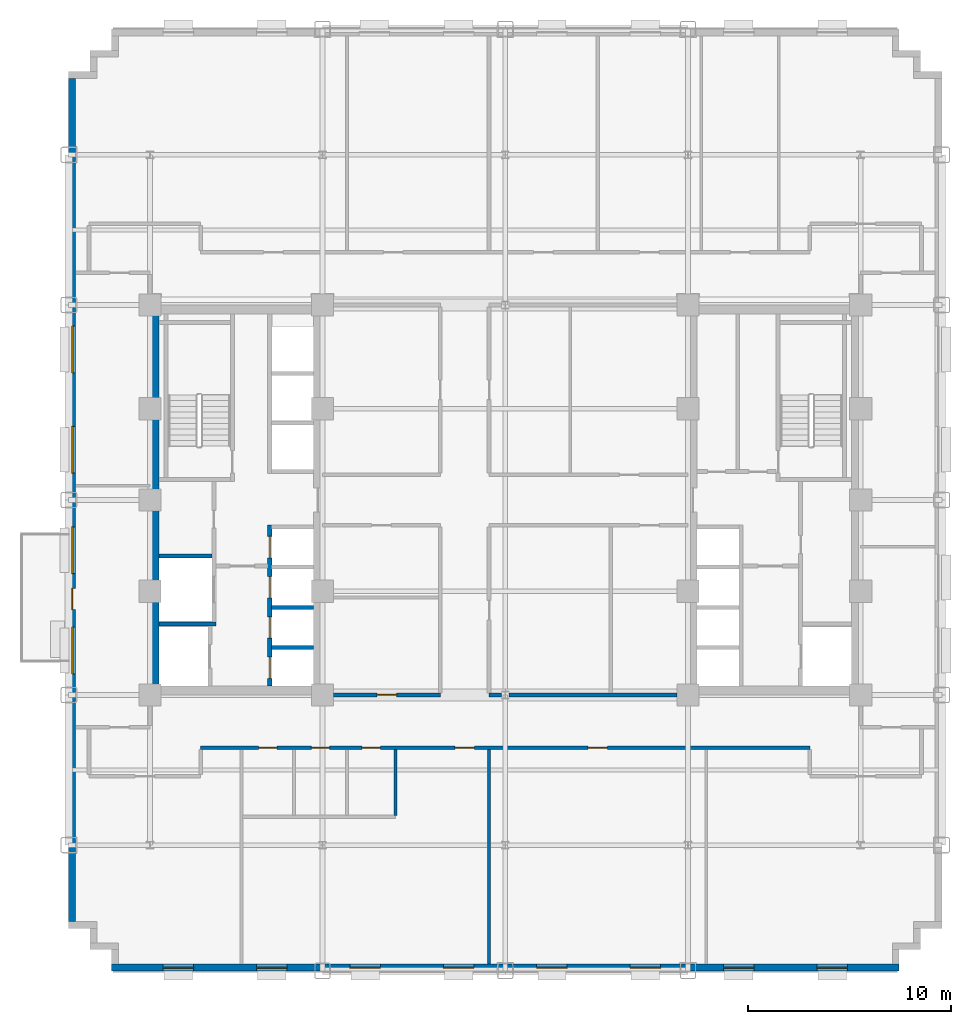
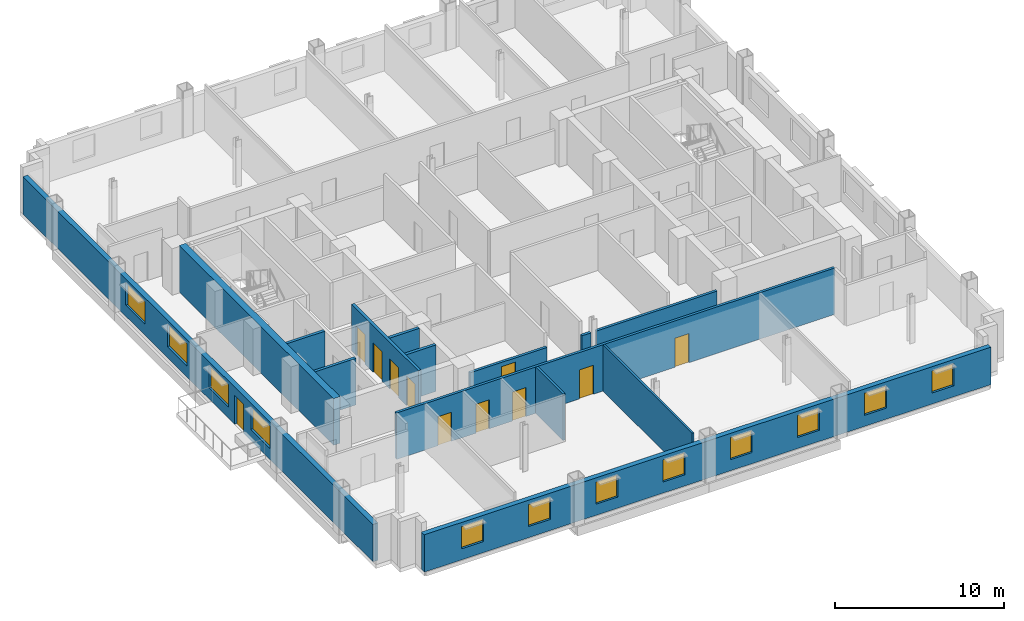
# One storey, part 6 of 13: 14 walls, 12 windows, 11 doors, 23 openings.
"""IFC4 building model written with IfcOpenShell, lengths in metres."""

from ifc_helpers import new_model, si_unit, direction, frame, frame_2d, origin, place, context, subcontext, project, spatial, rectangle, extrude, source, transform, mapped, material, layer, layer_set, type_object, type_shapes, element, fill, save


model = new_model("IFC4")

# Units and contexts
model_context = context("Model", 3, precision=1e-05, world=origin(), true_north=direction((0.0, 1.0)))
body_context = subcontext(model_context, "Body", "Model", "MODEL_VIEW")
ifc_project = project(units=[si_unit("LENGTHUNIT", "METRE"), si_unit("AREAUNIT", "SQUARE_METRE"), si_unit("VOLUMEUNIT", "CUBIC_METRE"), si_unit("PLANEANGLEUNIT", "RADIAN"), si_unit("MASSUNIT", "GRAM", prefix="KILO")], contexts=[model_context])

# Site, building, storey
site_placement = place(None, origin())
site = spatial("IfcSite", under=ifc_project, at=site_placement, CompositionType="ELEMENT")
building_placement = place(site_placement, origin())
building = spatial("IfcBuilding", under=site, at=building_placement, Name="Nuvemarco Arch Tower", CompositionType="ELEMENT")
storey_placement = place(building_placement, frame((0.0, 0.0, 78.699951171875)))
storey = spatial("IfcBuildingStorey", under=building, at=storey_placement, Name="L20", CompositionType="ELEMENT", Elevation=78.699951171875)

# Wall, openings, windows
ifc_material_1 = material(Name="Precast concrete C45/55", Category="concrete")
ifc_layer_1 = layer(ifc_material_1, 0.340087890625, Name="EW-LOW-340")
ifc_layer_set_1 = layer_set([ifc_layer_1], Name="Precast concrete C45/55")
wall_type_1 = type_object("IfcWallType", Name="EW-LOW-340", PredefinedType="STANDARD", material=ifc_layer_set_1)
wall_1_placement = place(storey_placement, frame((-19.39990234375, -23.030029296875, 0.0), z_axis=(0.0, 0.0, 1.0), x_axis=(1.0, 0.0, 0.0)))
wall_1 = element("IfcWall", 1, at=wall_1_placement, inside=storey, type_object=wall_type_1, Name="L20 exterior precast facade wall 1", PredefinedType="STANDARD", context=body_context, shape_type="SweptSolid", body=[
    extrude(rectangle(XDim=38.7998046875, YDim=0.340087890625, at=frame_2d((19.39990234375, 0.0))), origin(), (0.0, 0.0, 1.0), 2.705078125),
])
opening_1_placement = place(wall_1_placement, frame((2.550048828125, 0.0, 0.800048828125)))
opening_1 = element("IfcOpeningElement", 2, at=opening_1_placement, cuts=wall_1, Name="Opening WN-11", PredefinedType="OPENING", context=body_context, shape_type="SweptSolid", body=[
    extrude(rectangle(XDim=1.5, YDim=1.60009765625, at=frame_2d((0.75, 0.800048828125))), frame((0.0, 0.179931640625, 0.0), z_axis=(0.0, -1.0, 0.0), x_axis=(1.0, 0.0, 0.0)), (0.0, 0.0, 1.0), 0.360107421875),
])
opening_2_placement = place(wall_1_placement, frame((7.14990234375, 0.0, 0.800048828125)))
opening_2 = element("IfcOpeningElement", 3, at=opening_2_placement, cuts=wall_1, Name="Opening WN-11", PredefinedType="OPENING", context=body_context, shape_type="SweptSolid", body=[
    extrude(rectangle(XDim=1.5, YDim=1.60009765625, at=frame_2d((0.75, 0.800048828125))), frame((0.0, 0.179931640625, 0.0), z_axis=(0.0, -1.0, 0.0), x_axis=(1.0, 0.0, 0.0)), (0.0, 0.0, 1.0), 0.360107421875),
])
opening_3_placement = place(wall_1_placement, frame((11.75, 0.0, 0.800048828125)))
opening_3 = element("IfcOpeningElement", 4, at=opening_3_placement, cuts=wall_1, Name="Opening WN-11", PredefinedType="OPENING", context=body_context, shape_type="SweptSolid", body=[
    extrude(rectangle(XDim=1.5, YDim=1.60009765625, at=frame_2d((0.75, 0.800048828125))), frame((0.0, 0.179931640625, 0.0), z_axis=(0.0, -1.0, 0.0), x_axis=(1.0, 0.0, 0.0)), (0.0, 0.0, 1.0), 0.360107421875),
])
opening_4_placement = place(wall_1_placement, frame((16.35009765625, 0.0, 0.800048828125)))
opening_4 = element("IfcOpeningElement", 5, at=opening_4_placement, cuts=wall_1, Name="Opening WN-11", PredefinedType="OPENING", context=body_context, shape_type="SweptSolid", body=[
    extrude(rectangle(XDim=1.5, YDim=1.60009765625, at=frame_2d((0.75, 0.800048828125))), frame((0.0, 0.179931640625, 0.0), z_axis=(0.0, -1.0, 0.0), x_axis=(1.0, 0.0, 0.0)), (0.0, 0.0, 1.0), 0.360107421875),
])
opening_5_placement = place(wall_1_placement, frame((20.949951171875, 0.0, 0.800048828125)))
opening_5 = element("IfcOpeningElement", 6, at=opening_5_placement, cuts=wall_1, Name="Opening WN-11", PredefinedType="OPENING", context=body_context, shape_type="SweptSolid", body=[
    extrude(rectangle(XDim=1.5, YDim=1.60009765625, at=frame_2d((0.75, 0.800048828125))), frame((0.0, 0.179931640625, 0.0), z_axis=(0.0, -1.0, 0.0), x_axis=(1.0, 0.0, 0.0)), (0.0, 0.0, 1.0), 0.360107421875),
])
opening_6_placement = place(wall_1_placement, frame((25.550048828125, 0.0, 0.800048828125)))
opening_6 = element("IfcOpeningElement", 7, at=opening_6_placement, cuts=wall_1, Name="Opening WN-11", PredefinedType="OPENING", context=body_context, shape_type="SweptSolid", body=[
    extrude(rectangle(XDim=1.5, YDim=1.60009765625, at=frame_2d((0.75, 0.800048828125))), frame((0.0, 0.179931640625, 0.0), z_axis=(0.0, -1.0, 0.0), x_axis=(1.0, 0.0, 0.0)), (0.0, 0.0, 1.0), 0.360107421875),
])
opening_7_placement = place(wall_1_placement, frame((30.14990234375, 0.0, 0.800048828125)))
opening_7 = element("IfcOpeningElement", 8, at=opening_7_placement, cuts=wall_1, Name="Opening WN-11", PredefinedType="OPENING", context=body_context, shape_type="SweptSolid", body=[
    extrude(rectangle(XDim=1.5, YDim=1.60009765625, at=frame_2d((0.75, 0.800048828125))), frame((0.0, 0.179931640625, 0.0), z_axis=(0.0, -1.0, 0.0), x_axis=(1.0, 0.0, 0.0)), (0.0, 0.0, 1.0), 0.360107421875),
])
opening_8_placement = place(wall_1_placement, frame((34.75, 0.0, 0.800048828125)))
opening_8 = element("IfcOpeningElement", 9, at=opening_8_placement, cuts=wall_1, Name="Opening WN-11", PredefinedType="OPENING", context=body_context, shape_type="SweptSolid", body=[
    extrude(rectangle(XDim=1.5, YDim=1.60009765625, at=frame_2d((0.75, 0.800048828125))), frame((0.0, 0.179931640625, 0.0), z_axis=(0.0, -1.0, 0.0), x_axis=(1.0, 0.0, 0.0)), (0.0, 0.0, 1.0), 0.360107421875),
])
ifc_material_2 = material(Name="Insulated solar-control glass", Category="glass")
window_type_1 = type_object("IfcWindowType", Name="WN-STEP-1500x1850", PartitioningType="SINGLE_PANEL", PredefinedType="WINDOW", material=ifc_material_2)
shared_shape_1 = source(origin(), body_context, "Body", "SweptSolid", [
    extrude(rectangle(XDim=1.5, YDim=1.60009765625, at=frame_2d((0.75, 0.800048828125))), frame((0.0, 0.030029296875, 0.0), z_axis=(0.0, -1.0, 0.0), x_axis=(1.0, 0.0, 0.0)), (0.0, 0.0, 1.0), 0.06005859375),
])
type_shapes(window_type_1, [shared_shape_1])
window_1_placement = place(opening_1_placement, origin())
window_1 = element("IfcWindow", 10, at=window_1_placement, inside=storey, type_object=window_type_1, Name="L20 punched facade window 1", OverallHeight=1.60009765625, OverallWidth=1.5, PartitioningType="SINGLE_PANEL", PredefinedType="WINDOW", context=body_context, shape_type="MappedRepresentation", body=[
    mapped(shared_shape_1, transform((0.0, 0.0, 0.0), scale=1.0)),
])
fill(opening_1, window_1)
window_2_placement = place(opening_2_placement, origin())
window_2 = element("IfcWindow", 11, at=window_2_placement, inside=storey, type_object=window_type_1, Name="L20 punched facade window 2", OverallHeight=1.60009765625, OverallWidth=1.5, PartitioningType="SINGLE_PANEL", PredefinedType="WINDOW", context=body_context, shape_type="MappedRepresentation", body=[
    mapped(shared_shape_1, transform((0.0, 0.0, 0.0), scale=1.0)),
])
fill(opening_2, window_2)
window_3_placement = place(opening_3_placement, origin())
window_3 = element("IfcWindow", 12, at=window_3_placement, inside=storey, type_object=window_type_1, Name="L20 punched facade window 3", OverallHeight=1.60009765625, OverallWidth=1.5, PartitioningType="SINGLE_PANEL", PredefinedType="WINDOW", context=body_context, shape_type="MappedRepresentation", body=[
    mapped(shared_shape_1, transform((0.0, 0.0, 0.0), scale=1.0)),
])
fill(opening_3, window_3)
window_4_placement = place(opening_4_placement, origin())
window_4 = element("IfcWindow", 13, at=window_4_placement, inside=storey, type_object=window_type_1, Name="L20 punched facade window 4", OverallHeight=1.60009765625, OverallWidth=1.5, PartitioningType="SINGLE_PANEL", PredefinedType="WINDOW", context=body_context, shape_type="MappedRepresentation", body=[
    mapped(shared_shape_1, transform((0.0, 0.0, 0.0), scale=1.0)),
])
fill(opening_4, window_4)
window_5_placement = place(opening_5_placement, origin())
window_5 = element("IfcWindow", 14, at=window_5_placement, inside=storey, type_object=window_type_1, Name="L20 punched facade window 5", OverallHeight=1.60009765625, OverallWidth=1.5, PartitioningType="SINGLE_PANEL", PredefinedType="WINDOW", context=body_context, shape_type="MappedRepresentation", body=[
    mapped(shared_shape_1, transform((0.0, 0.0, 0.0), scale=1.0)),
])
fill(opening_5, window_5)
window_6_placement = place(opening_6_placement, origin())
window_6 = element("IfcWindow", 15, at=window_6_placement, inside=storey, type_object=window_type_1, Name="L20 punched facade window 6", OverallHeight=1.60009765625, OverallWidth=1.5, PartitioningType="SINGLE_PANEL", PredefinedType="WINDOW", context=body_context, shape_type="MappedRepresentation", body=[
    mapped(shared_shape_1, transform((0.0, 0.0, 0.0), scale=1.0)),
])
fill(opening_6, window_6)
window_7_placement = place(opening_7_placement, origin())
window_7 = element("IfcWindow", 16, at=window_7_placement, inside=storey, type_object=window_type_1, Name="L20 punched facade window 7", OverallHeight=1.60009765625, OverallWidth=1.5, PartitioningType="SINGLE_PANEL", PredefinedType="WINDOW", context=body_context, shape_type="MappedRepresentation", body=[
    mapped(shared_shape_1, transform((0.0, 0.0, 0.0), scale=1.0)),
])
fill(opening_7, window_7)
window_8_placement = place(opening_8_placement, origin())
window_8 = element("IfcWindow", 17, at=window_8_placement, inside=storey, type_object=window_type_1, Name="L20 punched facade window 8", OverallHeight=1.60009765625, OverallWidth=1.5, PartitioningType="SINGLE_PANEL", PredefinedType="WINDOW", context=body_context, shape_type="MappedRepresentation", body=[
    mapped(shared_shape_1, transform((0.0, 0.0, 0.0), scale=1.0)),
])
fill(opening_8, window_8)

# Wall, openings, door, windows
wall_2_placement = place(storey_placement, frame((-21.330078125, -20.763916015625, 0.0), z_axis=(0.0, 0.0, 1.0), x_axis=(0.0, 1.0, 0.0)))
wall_2 = element("IfcWall", 18, at=wall_2_placement, inside=storey, type_object=wall_type_1, Name="L20 exterior precast facade wall 16", PredefinedType="STANDARD", context=body_context, shape_type="SweptSolid", body=[
    extrude(rectangle(XDim=41.52783203125, YDim=0.340087890625, at=frame_2d((20.763916015625, 0.0))), origin(), (0.0, 0.0, 1.0), 2.705078125),
])
opening_9_placement = place(wall_2_placement, frame((15.364013671875, 0.0, 0.0)))
opening_9 = element("IfcOpeningElement", 19, at=opening_9_placement, cuts=wall_2, Name="Opening ED-5", PredefinedType="OPENING", context=body_context, shape_type="SweptSolid", body=[
    extrude(rectangle(XDim=1.050048828125, YDim=2.10009765625, at=frame_2d((0.52490234375, 1.050048828125))), frame((0.0, 0.179931640625, 0.0), z_axis=(0.0, -1.0, 0.0), x_axis=(1.0, 0.0, 0.0)), (0.0, 0.0, 1.0), 0.360107421875),
])
opening_10_placement = place(wall_2_placement, frame((12.202392578125, 0.0, 0.800048828125)))
opening_10 = element("IfcOpeningElement", 20, at=opening_10_placement, cuts=wall_2, Name="Opening WN-10", PredefinedType="OPENING", context=body_context, shape_type="SweptSolid", body=[
    extrude(rectangle(XDim=2.300048828125, YDim=1.6201171875, at=frame_2d((1.14990234375, 0.81005859375))), frame((0.0, 0.179931640625, 0.0), z_axis=(0.0, -1.0, 0.0), x_axis=(1.0, 0.0, 0.0)), (0.0, 0.0, 1.0), 0.360107421875),
])
opening_11_placement = place(wall_2_placement, frame((17.1435546875, 0.0, 0.800048828125)))
opening_11 = element("IfcOpeningElement", 21, at=opening_11_placement, cuts=wall_2, Name="Opening WN-10", PredefinedType="OPENING", context=body_context, shape_type="SweptSolid", body=[
    extrude(rectangle(XDim=2.300048828125, YDim=1.6201171875, at=frame_2d((1.14990234375, 0.81005859375))), frame((0.0, 0.179931640625, 0.0), z_axis=(0.0, -1.0, 0.0), x_axis=(1.0, 0.0, 0.0)), (0.0, 0.0, 1.0), 0.360107421875),
])
opening_12_placement = place(wall_2_placement, frame((22.08447265625, 0.0, 0.800048828125)))
opening_12 = element("IfcOpeningElement", 22, at=opening_12_placement, cuts=wall_2, Name="Opening WN-10", PredefinedType="OPENING", context=body_context, shape_type="SweptSolid", body=[
    extrude(rectangle(XDim=2.300048828125, YDim=1.6201171875, at=frame_2d((1.14990234375, 0.81005859375))), frame((0.0, 0.179931640625, 0.0), z_axis=(0.0, -1.0, 0.0), x_axis=(1.0, 0.0, 0.0)), (0.0, 0.0, 1.0), 0.360107421875),
])
opening_13_placement = place(wall_2_placement, frame((27.025390625, 0.0, 0.800048828125)))
opening_13 = element("IfcOpeningElement", 23, at=opening_13_placement, cuts=wall_2, Name="Opening WN-10", PredefinedType="OPENING", context=body_context, shape_type="SweptSolid", body=[
    extrude(rectangle(XDim=2.300048828125, YDim=1.6201171875, at=frame_2d((1.14990234375, 0.81005859375))), frame((0.0, 0.179931640625, 0.0), z_axis=(0.0, -1.0, 0.0), x_axis=(1.0, 0.0, 0.0)), (0.0, 0.0, 1.0), 0.360107421875),
])
ifc_material_3 = material(Name="Anodised bronze and laminated glass", Category="glass")
door_type_1 = type_object("IfcDoorType", Name="DR-EXT-TERR", OperationType="NOTDEFINED", PredefinedType="DOOR", material=ifc_material_3)
shared_shape_2 = source(origin(), body_context, "Body", "SweptSolid", [
    extrude(rectangle(XDim=1.050048828125, YDim=2.10009765625, at=frame_2d((0.52490234375, 1.050048828125))), frame((0.0, 0.02490234375, 0.0), z_axis=(0.0, -1.0, 0.0), x_axis=(1.0, 0.0, 0.0)), (0.0, 0.0, 1.0), 0.050048828125),
])
type_shapes(door_type_1, [shared_shape_2])
door_1_placement = place(opening_9_placement, origin())
door_1 = element("IfcDoor", 24, at=door_1_placement, inside=storey, type_object=door_type_1, Name="L20 spiral terrace access door", OperationType="SINGLE_SWING_LEFT", OverallHeight=2.10009765625, OverallWidth=1.050048828125, PredefinedType="DOOR", context=body_context, shape_type="MappedRepresentation", body=[
    mapped(shared_shape_2, transform((0.0, 0.0, 0.0), scale=1.0)),
])
fill(opening_9, door_1)
window_type_2 = type_object("IfcWindowType", Name="WN-STEP-2300x1700", PartitioningType="DOUBLE_PANEL_VERTICAL", PredefinedType="WINDOW", material=ifc_material_2)
shared_shape_3 = source(origin(), body_context, "Body", "SweptSolid", [
    extrude(rectangle(XDim=2.300048828125, YDim=1.6201171875, at=frame_2d((1.14990234375, 0.81005859375))), frame((0.0, 0.030029296875, 0.0), z_axis=(0.0, -1.0, 0.0), x_axis=(1.0, 0.0, 0.0)), (0.0, 0.0, 1.0), 0.06005859375),
])
type_shapes(window_type_2, [shared_shape_3])
window_9_placement = place(opening_10_placement, origin())
window_9 = element("IfcWindow", 25, at=window_9_placement, inside=storey, type_object=window_type_2, Name="L20 punched facade window 3", OverallHeight=1.6201171875, OverallWidth=2.300048828125, PartitioningType="SINGLE_PANEL", PredefinedType="WINDOW", context=body_context, shape_type="MappedRepresentation", body=[
    mapped(shared_shape_3, transform((0.0, 0.0, 0.0), scale=1.0)),
])
fill(opening_10, window_9)
window_10_placement = place(opening_11_placement, origin())
window_10 = element("IfcWindow", 26, at=window_10_placement, inside=storey, type_object=window_type_2, Name="L20 punched facade window 4", OverallHeight=1.6201171875, OverallWidth=2.300048828125, PartitioningType="SINGLE_PANEL", PredefinedType="WINDOW", context=body_context, shape_type="MappedRepresentation", body=[
    mapped(shared_shape_3, transform((0.0, 0.0, 0.0), scale=1.0)),
])
fill(opening_11, window_10)
window_11_placement = place(opening_12_placement, origin())
window_11 = element("IfcWindow", 27, at=window_11_placement, inside=storey, type_object=window_type_2, Name="L20 punched facade window 5", OverallHeight=1.6201171875, OverallWidth=2.300048828125, PartitioningType="SINGLE_PANEL", PredefinedType="WINDOW", context=body_context, shape_type="MappedRepresentation", body=[
    mapped(shared_shape_3, transform((0.0, 0.0, 0.0), scale=1.0)),
])
fill(opening_12, window_11)
window_12_placement = place(opening_13_placement, origin())
window_12 = element("IfcWindow", 28, at=window_12_placement, inside=storey, type_object=window_type_2, Name="L20 punched facade window 6", OverallHeight=1.6201171875, OverallWidth=2.300048828125, PartitioningType="SINGLE_PANEL", PredefinedType="WINDOW", context=body_context, shape_type="MappedRepresentation", body=[
    mapped(shared_shape_3, transform((0.0, 0.0, 0.0), scale=1.0)),
])
fill(opening_13, window_12)

# Wall
ifc_material_4 = material(Name="Concrete C60/75", Category="concrete")
ifc_layer_2 = layer(ifc_material_4, 0.449951171875, Name="WL-CORE-450")
ifc_layer_set_2 = layer_set([ifc_layer_2], Name="Concrete C60/75")
wall_type_2 = type_object("IfcWallType", Name="WL-CORE-450", PredefinedType="SHEAR", material=ifc_layer_set_2)
wall_3_placement = place(storey_placement, frame((-17.27490234375, -9.155029296875, 0.0), z_axis=(0.0, 0.0, 1.0), x_axis=(0.0, 1.0, 0.0)))
element("IfcWall", 29, at=wall_3_placement, inside=storey, type_object=wall_type_2, Name="L20 W-core shear wall W", PredefinedType="SHEAR", context=body_context, shape_type="SweptSolid", body=[
    extrude(rectangle(XDim=18.31005859375, YDim=0.449951171875, at=frame_2d((9.155029296875, 0.0))), origin(), (0.0, 0.0, 1.0), 3.3701171875),
])

# Wall, openings, doors
ifc_material_5 = material(Name="Fire-rated gypsum drywall partition")
ifc_layer_3 = layer(ifc_material_5, 0.179931640625, Name="WL-CORR-180")
ifc_layer_set_3 = layer_set([ifc_layer_3], Name="Fire-rated gypsum drywall partition")
wall_type_3 = type_object("IfcWallType", Name="WL-CORR-180", PredefinedType="PARTITIONING", material=ifc_layer_set_3)
wall_4_placement = place(storey_placement, frame((-15.0, -12.199951171875, 0.0), z_axis=(0.0, 0.0, 1.0), x_axis=(1.0, 0.0, 0.0)))
wall_4 = element("IfcWall", 30, at=wall_4_placement, inside=storey, type_object=wall_type_3, Name="L20 interior wall IW-L20-004", PredefinedType="PARTITIONING", context=body_context, shape_type="SweptSolid", body=[
    extrude(rectangle(XDim=30.0, YDim=0.179931640625, at=frame_2d((15.0, 0.0))), origin(), (0.0, 0.0, 1.0), 3.360107421875),
])
opening_14_placement = place(wall_4_placement, frame((19.070068359375, 0.0, 0.0)))
opening_14 = element("IfcOpeningElement", 31, at=opening_14_placement, cuts=wall_4, Name="Opening FD-5", PredefinedType="OPENING", context=body_context, shape_type="SweptSolid", body=[
    extrude(rectangle(XDim=0.9599609375, YDim=2.10009765625, at=frame_2d((0.47998046875, 1.050048828125))), frame((0.0, 0.099853515625, 0.0), z_axis=(0.0, -1.0, 0.0), x_axis=(1.0, 0.0, 0.0)), (0.0, 0.0, 1.0), 0.199951171875),
])
opening_15_placement = place(wall_4_placement, frame((5.449951171875, 0.0, 0.0)))
opening_15 = element("IfcOpeningElement", 32, at=opening_15_placement, cuts=wall_4, Name="Opening ID-3", PredefinedType="OPENING", context=body_context, shape_type="SweptSolid", body=[
    extrude(rectangle(XDim=0.89990234375, YDim=2.10009765625, at=frame_2d((0.449951171875, 1.050048828125))), frame((0.0, 0.099853515625, 0.0), z_axis=(0.0, -1.0, 0.0), x_axis=(1.0, 0.0, 0.0)), (0.0, 0.0, 1.0), 0.199951171875),
])
opening_16_placement = place(wall_4_placement, frame((2.85009765625, 0.0, 0.0)))
opening_16 = element("IfcOpeningElement", 33, at=opening_16_placement, cuts=wall_4, Name="Opening ID-3", PredefinedType="OPENING", context=body_context, shape_type="SweptSolid", body=[
    extrude(rectangle(XDim=0.89990234375, YDim=2.10009765625, at=frame_2d((0.449951171875, 1.050048828125))), frame((0.0, 0.099853515625, 0.0), z_axis=(0.0, -1.0, 0.0), x_axis=(1.0, 0.0, 0.0)), (0.0, 0.0, 1.0), 0.199951171875),
])
opening_17_placement = place(wall_4_placement, frame((12.52001953125, 0.0, 0.0)))
opening_17 = element("IfcOpeningElement", 34, at=opening_17_placement, cuts=wall_4, Name="Opening FD-5", PredefinedType="OPENING", context=body_context, shape_type="SweptSolid", body=[
    extrude(rectangle(XDim=0.9599609375, YDim=2.10009765625, at=frame_2d((0.47998046875, 1.050048828125))), frame((0.0, 0.099853515625, 0.0), z_axis=(0.0, -1.0, 0.0), x_axis=(1.0, 0.0, 0.0)), (0.0, 0.0, 1.0), 0.199951171875),
])
opening_18_placement = place(wall_4_placement, frame((7.949951171875, 0.0, 0.0)))
opening_18 = element("IfcOpeningElement", 35, at=opening_18_placement, cuts=wall_4, Name="Opening ID-3", PredefinedType="OPENING", context=body_context, shape_type="SweptSolid", body=[
    extrude(rectangle(XDim=0.89990234375, YDim=2.10009765625, at=frame_2d((0.449951171875, 1.050048828125))), frame((0.0, 0.099853515625, 0.0), z_axis=(0.0, -1.0, 0.0), x_axis=(1.0, 0.0, 0.0)), (0.0, 0.0, 1.0), 0.199951171875),
])
ifc_material_6 = material(Name="Timber fire door", Category="wood")
door_type_2 = type_object("IfcDoorType", Name="DR-CORR-FD", OperationType="NOTDEFINED", PredefinedType="DOOR", material=ifc_material_6)
shared_shape_4 = source(origin(), body_context, "Body", "SweptSolid", [
    extrude(rectangle(XDim=0.9599609375, YDim=2.10009765625, at=frame_2d((0.47998046875, 1.050048828125))), frame((0.0, 0.02490234375, 0.0), z_axis=(0.0, -1.0, 0.0), x_axis=(1.0, 0.0, 0.0)), (0.0, 0.0, 1.0), 0.050048828125),
])
type_shapes(door_type_2, [shared_shape_4])
door_2_placement = place(opening_14_placement, origin())
door_2 = element("IfcDoor", 36, at=door_2_placement, inside=storey, type_object=door_type_2, Name="L20 door DR-L20-S_3", OperationType="SINGLE_SWING_LEFT", OverallHeight=2.10009765625, OverallWidth=0.9599609375, PredefinedType="DOOR", context=body_context, shape_type="MappedRepresentation", body=[
    mapped(shared_shape_4, transform((0.0, 0.0, 0.0), scale=1.0)),
])
fill(opening_14, door_2)
door_3_placement = place(opening_17_placement, origin())
door_3 = element("IfcDoor", 37, at=door_3_placement, inside=storey, type_object=door_type_2, Name="L20 door DR-L20-S_2", OperationType="SINGLE_SWING_LEFT", OverallHeight=2.10009765625, OverallWidth=0.9599609375, PredefinedType="DOOR", context=body_context, shape_type="MappedRepresentation", body=[
    mapped(shared_shape_4, transform((0.0, 0.0, 0.0), scale=1.0)),
])
fill(opening_17, door_3)
ifc_material_7 = material(Name="Veneered oak timber fire door", Category="wood")
door_type_3 = type_object("IfcDoorType", Name="DR-WC-ACC", OperationType="NOTDEFINED", PredefinedType="DOOR", material=ifc_material_7)
shared_shape_5 = source(origin(), body_context, "Body", "SweptSolid", [
    extrude(rectangle(XDim=0.89990234375, YDim=2.10009765625, at=frame_2d((0.449951171875, 1.050048828125))), frame((0.0, 0.02490234375, 0.0), z_axis=(0.0, -1.0, 0.0), x_axis=(1.0, 0.0, 0.0)), (0.0, 0.0, 1.0), 0.050048828125),
])
type_shapes(door_type_3, [shared_shape_5])
door_4_placement = place(opening_15_placement, origin())
door_4 = element("IfcDoor", 38, at=door_4_placement, inside=storey, type_object=door_type_3, Name="L20 door DR-L20-WC_F", OperationType="SINGLE_SWING_LEFT", OverallHeight=2.10009765625, OverallWidth=0.89990234375, PredefinedType="DOOR", context=body_context, shape_type="MappedRepresentation", body=[
    mapped(shared_shape_5, transform((0.0, 0.0, 0.0), scale=1.0)),
])
fill(opening_15, door_4)
door_5_placement = place(opening_16_placement, origin())
door_5 = element("IfcDoor", 39, at=door_5_placement, inside=storey, type_object=door_type_3, Name="L20 door DR-L20-WC_M", OperationType="SINGLE_SWING_RIGHT", OverallHeight=2.10009765625, OverallWidth=0.89990234375, PredefinedType="DOOR", context=body_context, shape_type="MappedRepresentation", body=[
    mapped(shared_shape_5, transform((0.0, 0.0, 0.0), scale=1.0)),
])
fill(opening_16, door_5)
door_6_placement = place(opening_18_placement, origin())
door_6 = element("IfcDoor", 40, at=door_6_placement, inside=storey, type_object=door_type_3, Name="L20 door DR-L20-WC_ACC", OperationType="SINGLE_SWING_RIGHT", OverallHeight=2.10009765625, OverallWidth=0.89990234375, PredefinedType="DOOR", context=body_context, shape_type="MappedRepresentation", body=[
    mapped(shared_shape_5, transform((0.0, 0.0, 0.0), scale=1.0)),
])
fill(opening_18, door_6)

# Wall, opening, door
wall_5_placement = place(storey_placement, frame((-8.4541015625, -9.60009765625, 0.0), z_axis=(0.0, 0.0, 1.0), x_axis=(1.0, 0.0, 0.0)))
wall_5 = element("IfcWall", 41, at=wall_5_placement, inside=storey, type_object=wall_type_3, Name="L20 interior wall IW-L20-007", PredefinedType="PARTITIONING", context=body_context, shape_type="SweptSolid", body=[
    extrude(rectangle(XDim=5.254150390625, YDim=0.179931640625, at=frame_2d((2.626953125, 0.0))), origin(), (0.0, 0.0, 1.0), 2.405029296875),
])
opening_19_placement = place(wall_5_placement, frame((2.14697265625, 0.0, 0.0)))
opening_19 = element("IfcOpeningElement", 42, at=opening_19_placement, cuts=wall_5, Name="Opening FD-5", PredefinedType="OPENING", context=body_context, shape_type="SweptSolid", body=[
    extrude(rectangle(XDim=0.9599609375, YDim=2.10009765625, at=frame_2d((0.47998046875, 1.050048828125))), frame((0.0, 0.099853515625, 0.0), z_axis=(0.0, -1.0, 0.0), x_axis=(1.0, 0.0, 0.0)), (0.0, 0.0, 1.0), 0.199951171875),
])
door_7_placement = place(opening_19_placement, origin())
door_7 = element("IfcDoor", 43, at=door_7_placement, inside=storey, type_object=door_type_2, Name="L20 door DR-L20-C_SW2", OperationType="SINGLE_SWING_RIGHT", OverallHeight=2.10009765625, OverallWidth=0.9599609375, PredefinedType="DOOR", context=body_context, shape_type="MappedRepresentation", body=[
    mapped(shared_shape_4, transform((0.0, 0.0, 0.0), scale=1.0)),
])
fill(opening_19, door_7)

# Walls
wall_6_placement = place(storey_placement, frame((-0.800048828125, -9.60009765625, 0.0), z_axis=(0.0, 0.0, 1.0), x_axis=(1.0, 0.0, 0.0)))
element("IfcWall", 44, at=wall_6_placement, inside=storey, type_object=wall_type_3, Name="L20 interior wall IW-L20-008", PredefinedType="PARTITIONING", context=body_context, shape_type="SweptSolid", body=[
    extrude(rectangle(XDim=0.6240234375, YDim=0.179931640625, at=frame_2d((0.31201171875, 0.0))), origin(), (0.0, 0.0, 1.0), 2.405029296875),
])
wall_7_placement = place(storey_placement, frame((0.176025390625, -9.60009765625, 0.0), z_axis=(0.0, 0.0, 1.0), x_axis=(1.0, 0.0, 0.0)))
element("IfcWall", 45, at=wall_7_placement, inside=storey, type_object=wall_type_3, Name="L20 interior wall IW-L20-009", PredefinedType="PARTITIONING", context=body_context, shape_type="SweptSolid", body=[
    extrude(rectangle(XDim=8.278076171875, YDim=0.179931640625, at=frame_2d((4.13916015625, 0.0))), origin(), (0.0, 0.0, 1.0), 2.405029296875),
])
ifc_material_8 = material(Name="Gypsum plasterboard partition")
ifc_layer_4 = layer(ifc_material_8, 0.139892578125, Name="WL-ROOM-140")
ifc_layer_set_4 = layer_set([ifc_layer_4], Name="Gypsum plasterboard partition")
wall_type_4 = type_object("IfcWallType", Name="WL-ROOM-140", PredefinedType="PARTITIONING", material=ifc_layer_set_4)
wall_8_placement = place(storey_placement, frame((-0.800048828125, -22.860107421875, 0.0), z_axis=(0.0, 0.0, 1.0), x_axis=(0.0, 1.0, 0.0)))
element("IfcWall", 46, at=wall_8_placement, inside=storey, type_object=wall_type_4, Name="L20 interior wall IW-L20-038", PredefinedType="PARTITIONING", context=body_context, shape_type="SweptSolid", body=[
    extrude(rectangle(XDim=10.57421875, YDim=0.139892578125, at=frame_2d((5.287109375, 0.0))), origin(), (0.0, 0.0, 1.0), 3.360107421875),
])
ifc_material_9 = material(Name="Concrete C50/60", Category="concrete")
ifc_layer_5 = layer(ifc_material_9, 0.199951171875, Name="WL-SHAFT-220")
ifc_layer_set_5 = layer_set([ifc_layer_5], Name="Concrete C50/60")
wall_type_5 = type_object("IfcWallType", Name="WL-SHAFT-220", PredefinedType="SHEAR", material=ifc_layer_set_5)
wall_9_placement = place(storey_placement, frame((-17.054931640625, -6.10009765625, 0.0), z_axis=(0.0, 0.0, 1.0), x_axis=(1.0, 0.0, 0.0)))
element("IfcWall", 47, at=wall_9_placement, inside=storey, type_object=wall_type_5, Name="L20 structural shaft wall SW-L20-W-SH1", PredefinedType="SHEAR", context=body_context, shape_type="SweptSolid", body=[
    extrude(rectangle(XDim=2.804931640625, YDim=0.199951171875, at=frame_2d((1.40234375, 0.0))), origin(), (0.0, 0.0, 1.0), 3.3701171875),
])
wall_10_placement = place(storey_placement, frame((-17.054931640625, -2.75, 0.0), z_axis=(0.0, 0.0, 1.0), x_axis=(1.0, 0.0, 0.0)))
element("IfcWall", 48, at=wall_10_placement, inside=storey, type_object=wall_type_5, Name="L20 structural shaft wall SW-L20-W-SH2", PredefinedType="SHEAR", context=body_context, shape_type="SweptSolid", body=[
    extrude(rectangle(XDim=2.60986328125, YDim=0.199951171875, at=frame_2d((1.304931640625, 0.0))), origin(), (0.0, 0.0, 1.0), 3.3701171875),
])

# Wall, openings, doors
wall_11_placement = place(storey_placement, frame((-11.60009765625, -9.155029296875, 0.0), z_axis=(0.0, 0.0, 1.0), x_axis=(0.0, 1.0, 0.0)))
wall_11 = element("IfcWall", 49, at=wall_11_placement, inside=storey, type_object=wall_type_5, Name="L20 structural shaft wall SW-L20-W-PLW", PredefinedType="SHEAR", context=body_context, shape_type="SweptSolid", body=[
    extrude(rectangle(XDim=7.925048828125, YDim=0.199951171875, at=frame_2d((3.96240234375, 0.0))), origin(), (0.0, 0.0, 1.0), 3.3701171875),
])
opening_20_placement = place(wall_11_placement, frame((0.3701171875, 0.0, 0.0)))
opening_20 = element("IfcOpeningElement", 50, at=opening_20_placement, cuts=wall_11, Name="Opening LD-1", PredefinedType="OPENING", context=body_context, shape_type="SweptSolid", body=[
    extrude(rectangle(XDim=1.050048828125, YDim=2.14990234375, at=frame_2d((0.52490234375, 1.074951171875))), frame((0.0, 0.10986328125, 0.0), z_axis=(0.0, -1.0, 0.0), x_axis=(1.0, 0.0, 0.0)), (0.0, 0.0, 1.0), 0.219970703125),
])
opening_21_placement = place(wall_11_placement, frame((2.35009765625, 0.0, 0.0)))
opening_21 = element("IfcOpeningElement", 51, at=opening_21_placement, cuts=wall_11, Name="Opening LD-1", PredefinedType="OPENING", context=body_context, shape_type="SweptSolid", body=[
    extrude(rectangle(XDim=1.050048828125, YDim=2.14990234375, at=frame_2d((0.52490234375, 1.074951171875))), frame((0.0, 0.10986328125, 0.0), z_axis=(0.0, -1.0, 0.0), x_axis=(1.0, 0.0, 0.0)), (0.0, 0.0, 1.0), 0.219970703125),
])
opening_22_placement = place(wall_11_placement, frame((4.330078125, 0.0, 0.0)))
opening_22 = element("IfcOpeningElement", 52, at=opening_22_placement, cuts=wall_11, Name="Opening LD-1", PredefinedType="OPENING", context=body_context, shape_type="SweptSolid", body=[
    extrude(rectangle(XDim=1.050048828125, YDim=2.14990234375, at=frame_2d((0.52490234375, 1.074951171875))), frame((0.0, 0.10986328125, 0.0), z_axis=(0.0, -1.0, 0.0), x_axis=(1.0, 0.0, 0.0)), (0.0, 0.0, 1.0), 0.219970703125),
])
opening_23_placement = place(wall_11_placement, frame((6.31005859375, 0.0, 0.0)))
opening_23 = element("IfcOpeningElement", 53, at=opening_23_placement, cuts=wall_11, Name="Opening LD-1", PredefinedType="OPENING", context=body_context, shape_type="SweptSolid", body=[
    extrude(rectangle(XDim=1.050048828125, YDim=2.14990234375, at=frame_2d((0.52490234375, 1.074951171875))), frame((0.0, 0.10986328125, 0.0), z_axis=(0.0, -1.0, 0.0), x_axis=(1.0, 0.0, 0.0)), (0.0, 0.0, 1.0), 0.219970703125),
])
ifc_material_10 = material(Name="Stainless steel lift door", Category="steel")
door_type_4 = type_object("IfcDoorType", Name="DR-LIFT-PASS", OperationType="DOUBLE_DOOR_SLIDING", PredefinedType="DOOR", material=ifc_material_10)
shared_shape_6 = source(origin(), body_context, "Body", "SweptSolid", [
    extrude(rectangle(XDim=1.050048828125, YDim=2.14990234375, at=frame_2d((0.52490234375, 1.074951171875))), frame((0.0, 0.02490234375, 0.0), z_axis=(0.0, -1.0, 0.0), x_axis=(1.0, 0.0, 0.0)), (0.0, 0.0, 1.0), 0.050048828125),
])
type_shapes(door_type_4, [shared_shape_6])
door_8_placement = place(opening_20_placement, origin())
door_8 = element("IfcDoor", 54, at=door_8_placement, inside=storey, type_object=door_type_4, Name="L20 Lift landing sliding door PL-1", OperationType="DOUBLE_DOOR_SLIDING", OverallHeight=2.14990234375, OverallWidth=1.050048828125, PredefinedType="DOOR", context=body_context, shape_type="MappedRepresentation", body=[
    mapped(shared_shape_6, transform((0.0, 0.0, 0.0), scale=1.0)),
])
fill(opening_20, door_8)
door_9_placement = place(opening_21_placement, origin())
door_9 = element("IfcDoor", 55, at=door_9_placement, inside=storey, type_object=door_type_4, Name="L20 Lift landing sliding door PL-2", OperationType="DOUBLE_DOOR_SLIDING", OverallHeight=2.14990234375, OverallWidth=1.050048828125, PredefinedType="DOOR", context=body_context, shape_type="MappedRepresentation", body=[
    mapped(shared_shape_6, transform((0.0, 0.0, 0.0), scale=1.0)),
])
fill(opening_21, door_9)
door_10_placement = place(opening_22_placement, origin())
door_10 = element("IfcDoor", 56, at=door_10_placement, inside=storey, type_object=door_type_4, Name="L20 Lift landing sliding door PL-3", OperationType="DOUBLE_DOOR_SLIDING", OverallHeight=2.14990234375, OverallWidth=1.050048828125, PredefinedType="DOOR", context=body_context, shape_type="MappedRepresentation", body=[
    mapped(shared_shape_6, transform((0.0, 0.0, 0.0), scale=1.0)),
])
fill(opening_22, door_10)
door_11_placement = place(opening_23_placement, origin())
door_11 = element("IfcDoor", 57, at=door_11_placement, inside=storey, type_object=door_type_4, Name="L20 Lift landing sliding door PL-4", OperationType="DOUBLE_DOOR_SLIDING", OverallHeight=2.14990234375, OverallWidth=1.050048828125, PredefinedType="DOOR", context=body_context, shape_type="MappedRepresentation", body=[
    mapped(shared_shape_6, transform((0.0, 0.0, 0.0), scale=1.0)),
])
fill(opening_23, door_11)

# Walls
for number, where, z_axis, x_axis, name in (
    (58, (-11.5048828125, -7.27001953125, 0.0), (0.0, 0.0, 1.0), (1.0, 0.0, 0.0), "L20 structural shaft wall SW-L20-W-PLD1"),
    (59, (-11.5048828125, -5.2900390625, 0.0), (0.0, 0.0, 1.0), (1.0, 0.0, 0.0), "L20 structural shaft wall SW-L20-W-PLD2"),
):
    element("IfcWall", number, at=place(storey_placement, frame(where, z_axis=z_axis, x_axis=x_axis)), inside=storey, type_object=wall_type_5, Name=name, PredefinedType="SHEAR", context=body_context, shape_type="SweptSolid", body=[
        extrude(rectangle(XDim=2.059814453125, YDim=0.199951171875, at=frame_2d((1.02978515625, 0.0))), origin(), (0.0, 0.0, 1.0), 3.3701171875),
    ])
ifc_material_11 = material(Name="Moisture-resistant gypsum partition")
ifc_layer_6 = layer(ifc_material_11, 0.14990234375, Name="WL-WET-150")
ifc_layer_set_6 = layer_set([ifc_layer_6], Name="Moisture-resistant gypsum partition")
wall_type_6 = type_object("IfcWallType", Name="WL-WET-150", PredefinedType="PARTITIONING", material=ifc_layer_set_6)
wall_12_placement = place(storey_placement, frame((-5.39990234375, -15.529052734375, 0.0), z_axis=(0.0, 0.0, 1.0), x_axis=(0.0, 1.0, 0.0)))
element("IfcWall", 60, at=wall_12_placement, inside=storey, type_object=wall_type_6, Name="L20 interior wall IW-L20-035", PredefinedType="PARTITIONING", context=body_context, shape_type="SweptSolid", body=[
    extrude(rectangle(XDim=3.2431640625, YDim=0.14990234375, at=frame_2d((1.62158203125, 0.0))), origin(), (0.0, 0.0, 1.0), 3.360107421875),
])

save(model, "model.ifc")
